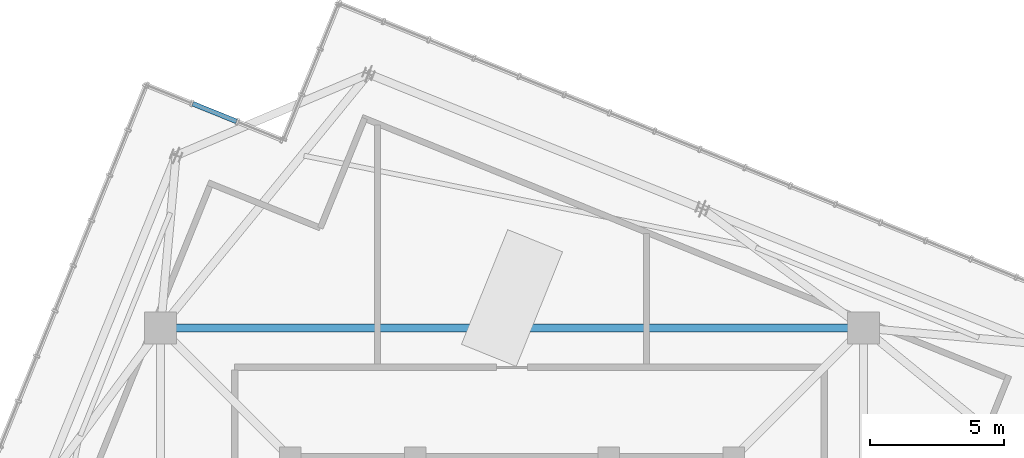
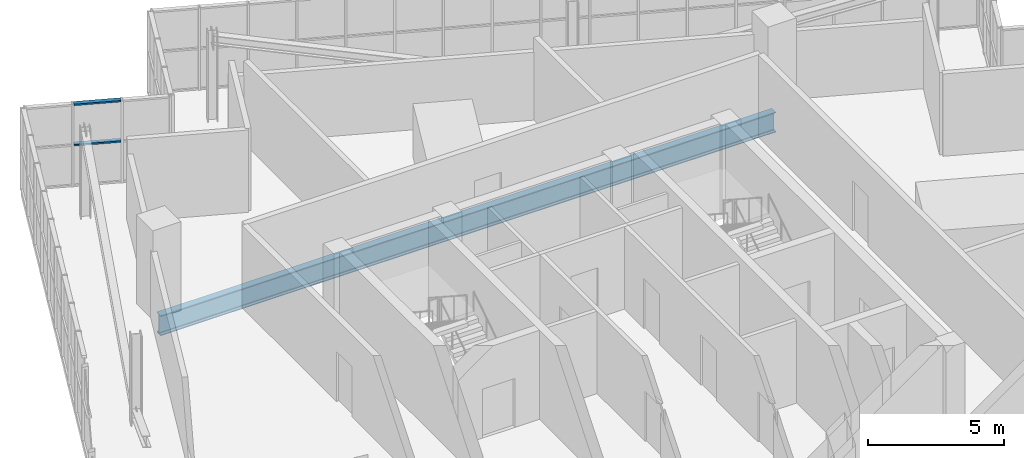
# One storey, part 13 of 26: 2 members, 1 beam, 1 element without a shape of its own.
"""IFC4 building model written with IfcOpenShell, lengths in metres."""

from ifc_helpers import new_model, si_unit, direction, frame, origin, origin_2d, place, context, subcontext, project, spatial, hollow_rectangle, i_section, extrude, source, transform, mapped, material, layer, layer_set, material_profile, profile_set, type_object, element, aggregate, save


model = new_model("IFC4")

# Units and contexts
model_context = context("Model", 3, precision=1e-05, world=origin(), true_north=direction((0.0, 1.0)))
body_context = subcontext(model_context, "Body", "Model", "MODEL_VIEW")
ifc_project = project(units=[si_unit("LENGTHUNIT", "METRE"), si_unit("AREAUNIT", "SQUARE_METRE"), si_unit("VOLUMEUNIT", "CUBIC_METRE"), si_unit("PLANEANGLEUNIT", "RADIAN"), si_unit("MASSUNIT", "GRAM", prefix="KILO"), si_unit("THERMODYNAMICTEMPERATUREUNIT", "KELVIN")], contexts=[model_context])

# Site, building, storey
site_placement = place(None, origin())
site = spatial("IfcSite", under=ifc_project, at=site_placement, CompositionType="ELEMENT")
building_placement = place(site_placement, origin())
building = spatial("IfcBuilding", under=site, at=building_placement, Name="Kosmvard Interchange Tower", CompositionType="ELEMENT")
storey_placement = place(building_placement, frame((0.0, 0.0, 333.60009765625)))
storey = spatial("IfcBuildingStorey", under=building, at=storey_placement, Name="L82", CompositionType="ELEMENT", Elevation=333.60009765625)

# Beam
ifc_material_1 = material(Name="Steel S355", Category="steel")
ifc_material_profile_1 = material_profile(ifc_material_1, i_section(OverallWidth=0.300048828125, OverallDepth=0.89990234375, WebThickness=0.0185546875, FlangeThickness=0.034912109375, FilletRadius=0.030029296875, at=origin_2d()), Name="HEB 900")
ifc_profile_set_1 = profile_set([ifc_material_profile_1], Name="Steel S355")
beam_type = type_object("IfcBeamType", Name="Mega-Column Ring Girder HEB 900 S355", PredefinedType="BEAM", material=ifc_profile_set_1)
shared_shape_1 = source(origin(), body_context, "Body", "SweptSolid", [
    extrude(i_section(OverallWidth=0.300048828125, OverallDepth=0.89990234375, WebThickness=0.0185546875, FlangeThickness=0.034912109375, FilletRadius=0.030029296875, at=origin_2d()), origin(), (0.0, 0.0, 1.0), 26.162109375),
])
beam_placement = place(storey_placement, frame((13.0810546875, 13.0810546875, -0.75), z_axis=(-1.0, 0.0, 0.0), x_axis=(0.0, -1.0, 0.0)))
element("IfcBeam", 1, at=beam_placement, inside=storey, type_object=beam_type, Name="L82 Mega-Column Ring Girder 3", PredefinedType="BEAM", context=body_context, shape_type="MappedRepresentation", body=[
    mapped(shared_shape_1, transform((0.0, 0.0, 0.0), scale=1.0)),
])

# Curtain wall, members
ifc_material_2 = material(Name="Architectural anodised aluminium", Category="aluminium")
ifc_layer = layer(ifc_material_2, 0.25, Name="Architectural anodised aluminium")
ifc_layer_set = layer_set([ifc_layer], Name="Architectural anodised aluminium")
curtain_wall_type = type_object("IfcCurtainWallType", Name="CW-6 Illuminated Crown Lantern Curtain Wall", PredefinedType="NOTDEFINED", material=ifc_layer_set)
curtain_wall_placement = place(storey_placement, origin())
curtain_wall = element("IfcCurtainWall", 2, at=curtain_wall_placement, inside=storey, type_object=curtain_wall_type, Name="L82 Crown Lantern Glazing Face 06", PredefinedType="NOTDEFINED")
ifc_material_profile_2 = material_profile(ifc_material_2, hollow_rectangle(XDim=0.179931640625, YDim=0.070068359375, WallThickness=0.0048828125, at=origin_2d()), Name="CWT 180x70x5")
ifc_profile_set_2 = profile_set([ifc_material_profile_2], Name="Architectural anodised aluminium")
member_type = type_object("IfcMemberType", Name="Heavy Lantern CW Transom 180x70 Aluminium", PredefinedType="USERDEFINED", material=ifc_profile_set_2)
shared_shape_2 = source(origin(), body_context, "Body", "SweptSolid", [
    extrude(hollow_rectangle(XDim=0.179931640625, YDim=0.070068359375, WallThickness=0.0048828125, at=origin_2d()), origin(), (0.0, 0.0, 1.0), 1.75341796875),
])
member_1_placement = place(storey_placement, frame((-10.257568359375, 20.775390625, 1.849853515625), z_axis=(-0.927203712676, 0.37455743912, 0.0), x_axis=(-0.37455743912, -0.927203712676, 0.0)))
member_1 = element("IfcMember", 3, at=member_1_placement, type_object=member_type, Name="CW-6 transom 2.2", ObjectType="TRANSOM", PredefinedType="USERDEFINED", context=body_context, shape_type="MappedRepresentation", body=[
    mapped(shared_shape_2, transform((0.0, 0.0, 0.0), scale=1.0)),
])
member_2_placement = place(storey_placement, frame((-10.257568359375, 20.775390625, 3.664794921875), z_axis=(-0.927203712676, 0.37455743912, 0.0), x_axis=(-0.37455743912, -0.927203712676, 0.0)))
member_2 = element("IfcMember", 4, at=member_2_placement, type_object=member_type, Name="CW-6 transom 2.3", ObjectType="TRANSOM", PredefinedType="USERDEFINED", context=body_context, shape_type="MappedRepresentation", body=[
    mapped(shared_shape_2, transform((0.0, 0.0, 0.0), scale=1.0)),
])
aggregate(curtain_wall, [member_1, member_2])

save(model, "model.ifc")
